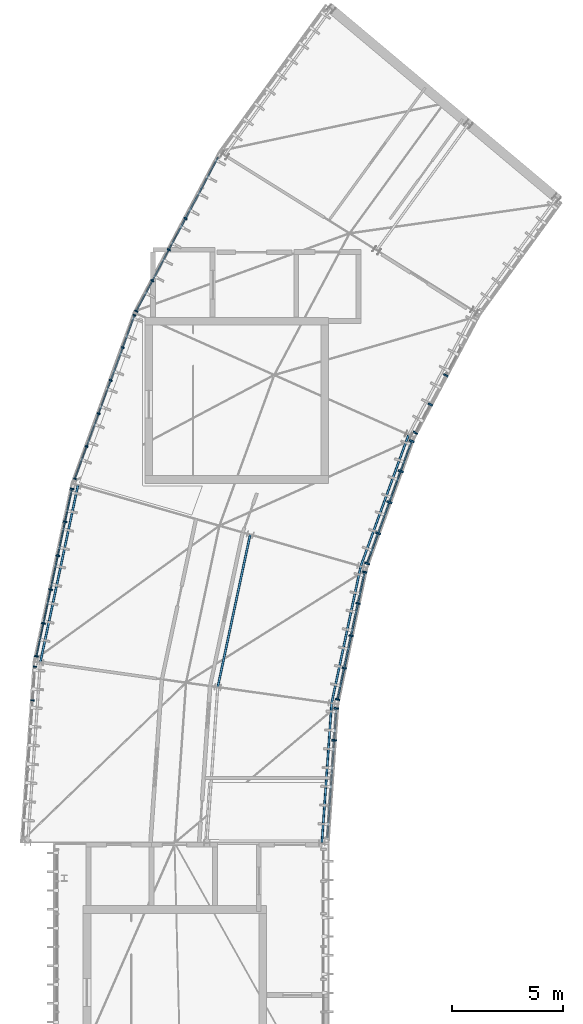
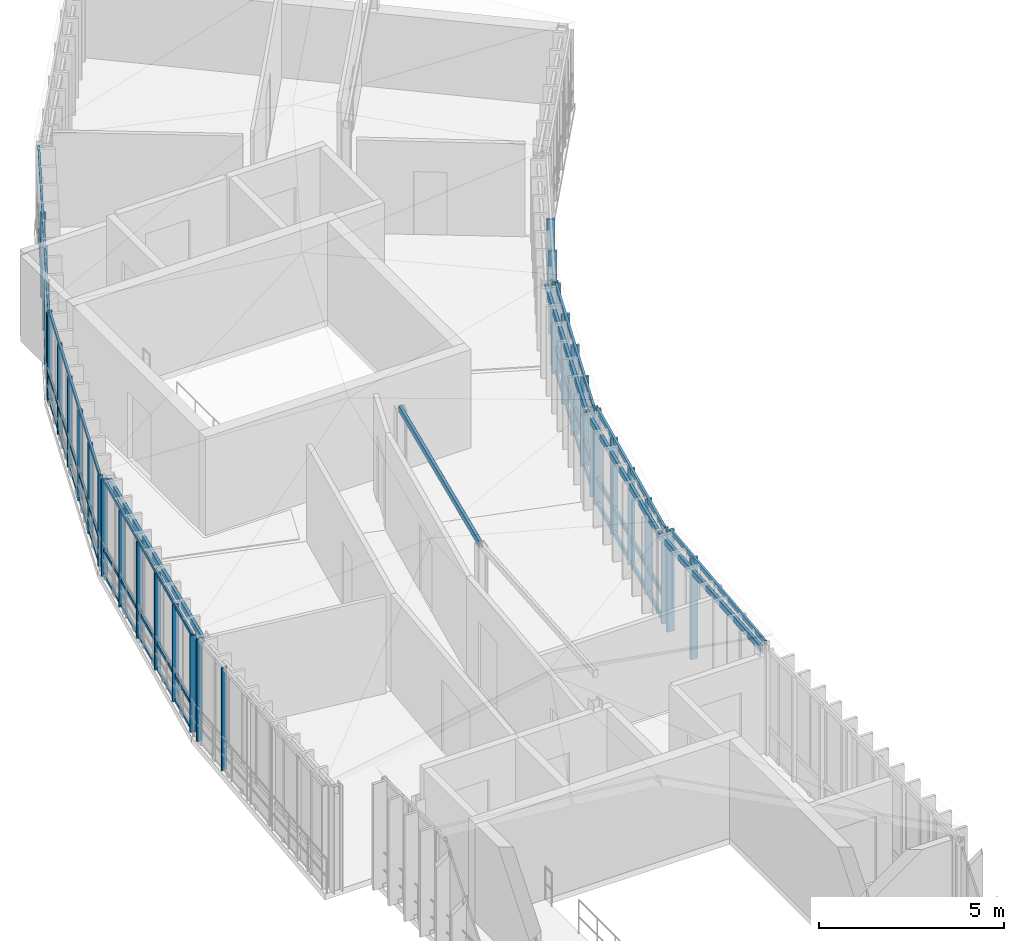
# One storey, part 4 of 18: 54 members, 8 elements without a shape of their own.
"""IFC4 building model written with IfcOpenShell, lengths in metres."""

from ifc_helpers import new_model, si_unit, direction, frame, origin, origin_2d, place, context, subcontext, project, spatial, rectangle, hollow_rectangle, extrude, material, layer, layer_set, material_profile, profile_set, type_object, element, aggregate, save


model = new_model("IFC4")

# Units and contexts
model_context = context("Model", 3, precision=1e-05, world=origin(), true_north=direction((0.0, 1.0)))
body_context = subcontext(model_context, "Body", "Model", "MODEL_VIEW")
ifc_project = project(units=[si_unit("LENGTHUNIT", "METRE"), si_unit("AREAUNIT", "SQUARE_METRE"), si_unit("VOLUMEUNIT", "CUBIC_METRE"), si_unit("PLANEANGLEUNIT", "RADIAN"), si_unit("MASSUNIT", "GRAM", prefix="KILO"), si_unit("THERMODYNAMICTEMPERATUREUNIT", "KELVIN"), si_unit("POWERUNIT", "WATT")], contexts=[model_context])

# Site, building, storey
site_placement = place(None, origin())
site = spatial("IfcSite", under=ifc_project, at=site_placement, CompositionType="ELEMENT")
building_placement = place(site_placement, origin())
building = spatial("IfcBuilding", under=site, at=building_placement, Name="Solvatero Civic Police Headquarters", CompositionType="ELEMENT")
storey_placement = place(building_placement, frame((0.0, 0.0, 29.39990234375)))
storey = spatial("IfcBuildingStorey", under=building, at=storey_placement, Name="L07", CompositionType="ELEMENT", Elevation=29.39990234375)

# Curtain wall, members
ifc_material_1 = material(Name="Anodized Bronze Aluminium", Category="aluminium")
ifc_layer_1 = layer(ifc_material_1, 0.179931640625)
ifc_layer_set_1 = layer_set([ifc_layer_1], Name="Anodized Bronze Aluminium")
curtain_wall_type_1 = type_object("IfcCurtainWallType", Name="CW-ARC-IN", PredefinedType="USERDEFINED", material=ifc_layer_set_1)
curtain_wall_1_placement = place(storey_placement, origin())
curtain_wall_1 = element("IfcCurtainWall", 1, at=curtain_wall_1_placement, inside=storey, type_object=curtain_wall_type_1, Name="Curtain Wall CW-R2-L07-ARC-IN-B10", ObjectType="UNITISED", PredefinedType="USERDEFINED")
ifc_material_profile_1 = material_profile(ifc_material_1, rectangle(XDim=0.080078125, YDim=0.239990234375, at=origin_2d()), Name="ALU MULLION 80x240")
ifc_profile_set_1 = profile_set([ifc_material_profile_1], Name="Anodized Bronze Aluminium")
member_type_1 = type_object("IfcMemberType", Name="CWM-140x60", PredefinedType="MULLION", material=ifc_profile_set_1)
member_1_placement = place(storey_placement, frame((52.7109375, 44.160400390625, 0.0), z_axis=(0.0, 0.0, 1.0), x_axis=(-0.342003742543, -0.93969859002, 0.0)))
member_1 = element("IfcMember", 2, at=member_1_placement, type_object=member_type_1, Name="CW-R2-L07-ARC-IN-B10 Mullion 1", PredefinedType="MULLION", context=body_context, shape_type="SweptSolid", body=[
    extrude(rectangle(XDim=0.080078125, YDim=0.239990234375, at=origin_2d()), origin(), (0.0, 0.0, 1.0), 2.951904296875),
])
member_2_placement = place(storey_placement, frame((52.214599609375, 42.796142578125, 0.0), z_axis=(0.0, 0.0, 1.0), x_axis=(-0.342003742543, -0.93969859002, 0.0)))
member_2 = element("IfcMember", 3, at=member_2_placement, type_object=member_type_1, Name="CW-R2-L07-ARC-IN-B10 Mullion 2", PredefinedType="MULLION", context=body_context, shape_type="SweptSolid", body=[
    extrude(rectangle(XDim=0.080078125, YDim=0.239990234375, at=origin_2d()), origin(), (0.0, 0.0, 1.0), 2.951904296875),
])
member_3_placement = place(storey_placement, frame((51.704345703125, 41.394287109375, 0.0), z_axis=(0.0, 0.0, 1.0), x_axis=(-0.342003742543, -0.93969859002, 0.0)))
member_3 = element("IfcMember", 4, at=member_3_placement, type_object=member_type_1, Name="CW-R2-L07-ARC-IN-B10 Mullion 3", PredefinedType="MULLION", context=body_context, shape_type="SweptSolid", body=[
    extrude(rectangle(XDim=0.080078125, YDim=0.239990234375, at=origin_2d()), origin(), (0.0, 0.0, 1.0), 2.951904296875),
])
member_4_placement = place(storey_placement, frame((51.194091796875, 39.99267578125, 0.0), z_axis=(0.0, 0.0, 1.0), x_axis=(-0.342003742543, -0.93969859002, 0.0)))
member_4 = element("IfcMember", 5, at=member_4_placement, type_object=member_type_1, Name="CW-R2-L07-ARC-IN-B10 Mullion 4", PredefinedType="MULLION", context=body_context, shape_type="SweptSolid", body=[
    extrude(rectangle(XDim=0.080078125, YDim=0.239990234375, at=origin_2d()), origin(), (0.0, 0.0, 1.0), 2.951904296875),
])
member_5_placement = place(storey_placement, frame((50.69775390625, 38.62841796875, 0.0), z_axis=(0.0, 0.0, 1.0), x_axis=(-0.342003742543, -0.93969859002, 0.0)))
member_5 = element("IfcMember", 6, at=member_5_placement, type_object=member_type_1, Name="CW-R2-L07-ARC-IN-B10 Mullion 5", PredefinedType="MULLION", context=body_context, shape_type="SweptSolid", body=[
    extrude(rectangle(XDim=0.080078125, YDim=0.239990234375, at=origin_2d()), origin(), (0.0, 0.0, 1.0), 2.951904296875),
])

ifc_layer_2 = layer(ifc_material_1, 0.179931640625)
ifc_layer_set_2 = layer_set([ifc_layer_2], Name="Anodized Bronze Aluminium")
curtain_wall_type_2 = type_object("IfcCurtainWallType", Name="CW-ARC-OUT", PredefinedType="USERDEFINED", material=ifc_layer_set_2)
curtain_wall_2_placement = place(storey_placement, origin())
curtain_wall_2 = element("IfcCurtainWall", 7, at=curtain_wall_2_placement, inside=storey, type_object=curtain_wall_type_2, Name="Curtain Wall CW-R2-L07-ARC-OUT-B10", ObjectType="UNITISED", PredefinedType="USERDEFINED")
ifc_material_profile_2 = material_profile(ifc_material_1, rectangle(XDim=0.06005859375, YDim=0.139892578125, at=origin_2d()), Name="ALU MULLION 60x140")
ifc_profile_set_2 = profile_set([ifc_material_profile_2], Name="Anodized Bronze Aluminium")
member_type_2 = type_object("IfcMemberType", Name="CWM-160x65", PredefinedType="MULLION", material=ifc_profile_set_2)
member_6_placement = place(storey_placement, frame((40.17626953125, 49.854736328125, 0.0), z_axis=(0.0, 0.0, 1.0), x_axis=(-0.342020143326, -0.939692620786, 0.0)))
member_6 = element("IfcMember", 8, at=member_6_placement, type_object=member_type_2, Name="CW-R2-L07-ARC-OUT-B10 Mullion 1", PredefinedType="MULLION", context=body_context, shape_type="SweptSolid", body=[
    extrude(rectangle(XDim=0.06005859375, YDim=0.139892578125, at=origin_2d()), origin(), (0.0, 0.0, 1.0), 2.993408203125),
])
member_7_placement = place(storey_placement, frame((39.6455078125, 48.396484375, 0.0), z_axis=(0.0, 0.0, 1.0), x_axis=(-0.342020143326, -0.939692620786, 0.0)))
member_7 = element("IfcMember", 9, at=member_7_placement, type_object=member_type_2, Name="CW-R2-L07-ARC-OUT-B10 Mullion 2", PredefinedType="MULLION", context=body_context, shape_type="SweptSolid", body=[
    extrude(rectangle(XDim=0.06005859375, YDim=0.139892578125, at=origin_2d()), origin(), (0.0, 0.0, 1.0), 2.993408203125),
])
member_8_placement = place(storey_placement, frame((39.10107421875, 46.90087890625, 0.0), z_axis=(0.0, 0.0, 1.0), x_axis=(-0.342020143326, -0.939692620786, 0.0)))
member_8 = element("IfcMember", 10, at=member_8_placement, type_object=member_type_2, Name="CW-R2-L07-ARC-OUT-B10 Mullion 3", PredefinedType="MULLION", context=body_context, shape_type="SweptSolid", body=[
    extrude(rectangle(XDim=0.06005859375, YDim=0.139892578125, at=origin_2d()), origin(), (0.0, 0.0, 1.0), 2.993408203125),
])
member_9_placement = place(storey_placement, frame((38.556640625, 45.405029296875, 0.0), z_axis=(0.0, 0.0, 1.0), x_axis=(-0.342020143326, -0.939692620786, 0.0)))
member_9 = element("IfcMember", 11, at=member_9_placement, type_object=member_type_2, Name="CW-R2-L07-ARC-OUT-B10 Mullion 4", PredefinedType="MULLION", context=body_context, shape_type="SweptSolid", body=[
    extrude(rectangle(XDim=0.06005859375, YDim=0.139892578125, at=origin_2d()), origin(), (0.0, 0.0, 1.0), 2.993408203125),
])
member_10_placement = place(storey_placement, frame((38.01220703125, 43.909423828125, 0.0), z_axis=(0.0, 0.0, 1.0), x_axis=(-0.342020143326, -0.939692620786, 0.0)))
member_10 = element("IfcMember", 12, at=member_10_placement, type_object=member_type_2, Name="CW-R2-L07-ARC-OUT-B10 Mullion 5", PredefinedType="MULLION", context=body_context, shape_type="SweptSolid", body=[
    extrude(rectangle(XDim=0.06005859375, YDim=0.139892578125, at=origin_2d()), origin(), (0.0, 0.0, 1.0), 2.993408203125),
])
member_11_placement = place(storey_placement, frame((37.481689453125, 42.451416015625, 0.0), z_axis=(0.0, 0.0, 1.0), x_axis=(-0.342020143326, -0.939692620786, 0.0)))
member_11 = element("IfcMember", 13, at=member_11_placement, type_object=member_type_2, Name="CW-R2-L07-ARC-OUT-B10 Mullion 6", PredefinedType="MULLION", context=body_context, shape_type="SweptSolid", body=[
    extrude(rectangle(XDim=0.06005859375, YDim=0.139892578125, at=origin_2d()), origin(), (0.0, 0.0, 1.0), 2.993408203125),
])

curtain_wall_3_placement = place(storey_placement, origin())
curtain_wall_3 = element("IfcCurtainWall", 14, at=curtain_wall_3_placement, inside=storey, type_object=curtain_wall_type_2, Name="Curtain Wall CW-R2-L07-ARC-OUT-B09", ObjectType="UNITISED", PredefinedType="USERDEFINED")
ifc_material_profile_3 = material_profile(ifc_material_1, rectangle(XDim=0.06005859375, YDim=0.159912109375, at=origin_2d()), Name="ALU MULLION 60x160")
ifc_profile_set_3 = profile_set([ifc_material_profile_3], Name="Anodized Bronze Aluminium")
member_type_3 = type_object("IfcMemberType", Name="CWM-180x70", PredefinedType="MULLION", material=ifc_profile_set_3)
member_12_placement = place(storey_placement, frame((42.48046875, 54.2177734375, 0.0), z_axis=(0.0, 0.0, 1.0), x_axis=(-0.469471562786, -0.882947592859, 0.0)))
member_12 = element("IfcMember", 15, at=member_12_placement, type_object=member_type_3, Name="CW-R2-L07-ARC-OUT-B09 Mullion 3", PredefinedType="MULLION", context=body_context, shape_type="SweptSolid", body=[
    extrude(rectangle(XDim=0.06005859375, YDim=0.159912109375, at=origin_2d()), origin(), (0.0, 0.0, 1.0), 2.79345703125),
])
member_13_placement = place(storey_placement, frame((41.733154296875, 52.8125, 0.0), z_axis=(0.0, 0.0, 1.0), x_axis=(-0.469471562786, -0.882947592859, 0.0)))
member_13 = element("IfcMember", 16, at=member_13_placement, type_object=member_type_3, Name="CW-R2-L07-ARC-OUT-B09 Mullion 4", PredefinedType="MULLION", context=body_context, shape_type="SweptSolid", body=[
    extrude(rectangle(XDim=0.06005859375, YDim=0.159912109375, at=origin_2d()), origin(), (0.0, 0.0, 1.0), 2.79345703125),
])
member_14_placement = place(storey_placement, frame((40.98583984375, 51.406982421875, 0.0), z_axis=(0.0, 0.0, 1.0), x_axis=(-0.469471562786, -0.882947592859, 0.0)))
member_14 = element("IfcMember", 17, at=member_14_placement, type_object=member_type_3, Name="CW-R2-L07-ARC-OUT-B09 Mullion 5", PredefinedType="MULLION", context=body_context, shape_type="SweptSolid", body=[
    extrude(rectangle(XDim=0.06005859375, YDim=0.159912109375, at=origin_2d()), origin(), (0.0, 0.0, 1.0), 2.79345703125),
])
member_15_placement = place(storey_placement, frame((40.25732421875, 50.037109375, 0.0), z_axis=(0.0, 0.0, 1.0), x_axis=(-0.469471562786, -0.882947592859, 0.0)))
member_15 = element("IfcMember", 18, at=member_15_placement, type_object=member_type_3, Name="CW-R2-L07-ARC-OUT-B09 Mullion 6", PredefinedType="MULLION", context=body_context, shape_type="SweptSolid", body=[
    extrude(rectangle(XDim=0.06005859375, YDim=0.159912109375, at=origin_2d()), origin(), (0.0, 0.0, 1.0), 2.79345703125),
])

curtain_wall_4_placement = place(storey_placement, origin())
curtain_wall_4 = element("IfcCurtainWall", 19, at=curtain_wall_4_placement, inside=storey, type_object=curtain_wall_type_2, Name="Curtain Wall CW-R2-L07-ARC-OUT-B12", ObjectType="UNITISED", PredefinedType="USERDEFINED")
member_16_placement = place(storey_placement, frame((35.676513671875, 33.958984375, 0.0), z_axis=(0.0, 0.0, 1.0), x_axis=(-0.069739062956, -0.997565267588, 0.0)))
member_16 = element("IfcMember", 20, at=member_16_placement, type_object=member_type_3, Name="CW-R2-L07-ARC-OUT-B12 Mullion 1", PredefinedType="MULLION", context=body_context, shape_type="SweptSolid", body=[
    extrude(rectangle(XDim=0.06005859375, YDim=0.159912109375, at=origin_2d()), origin(), (0.0, 0.0, 1.0), 3.393310546875),
])
member_17_placement = place(storey_placement, frame((35.5703125, 32.438232421875, 0.0), z_axis=(0.0, 0.0, 1.0), x_axis=(-0.069739062956, -0.997565267588, 0.0)))
member_17 = element("IfcMember", 21, at=member_17_placement, type_object=member_type_3, Name="CW-R2-L07-ARC-OUT-B12 Mullion 2", PredefinedType="MULLION", context=body_context, shape_type="SweptSolid", body=[
    extrude(rectangle(XDim=0.06005859375, YDim=0.159912109375, at=origin_2d()), origin(), (0.0, 0.0, 1.0), 3.393310546875),
])
aggregate(curtain_wall_4, [member_16, member_17])

curtain_wall_5_placement = place(storey_placement, origin())
curtain_wall_5 = element("IfcCurtainWall", 22, at=curtain_wall_5_placement, inside=storey, type_object=curtain_wall_type_2, Name="Curtain Wall CW-R2-L07-ARC-OUT-B11", ObjectType="UNITISED", PredefinedType="USERDEFINED")
ifc_material_profile_4 = material_profile(ifc_material_1, rectangle(XDim=0.06494140625, YDim=0.179931640625, at=origin_2d()), Name="ALU MULLION 65x180")
ifc_profile_set_4 = profile_set([ifc_material_profile_4], Name="Anodized Bronze Aluminium")
member_type_4 = type_object("IfcMemberType", Name="CWM-200x75", PredefinedType="MULLION", material=ifc_profile_set_4)
member_18_placement = place(storey_placement, frame((37.351806640625, 41.998779296875, 0.0), z_axis=(0.0, 0.0, 1.0), x_axis=(-0.20789461889, -0.978151229328, 0.0)))
member_18 = element("IfcMember", 23, at=member_18_placement, type_object=member_type_4, Name="CW-R2-L07-ARC-OUT-B11 Mullion 1", PredefinedType="MULLION", context=body_context, shape_type="SweptSolid", body=[
    extrude(rectangle(XDim=0.06494140625, YDim=0.179931640625, at=origin_2d()), origin(), (0.0, 0.0, 1.0), 3.193359375),
])
member_19_placement = place(storey_placement, frame((37.034912109375, 40.507568359375, 0.0), z_axis=(0.0, 0.0, 1.0), x_axis=(-0.20789461889, -0.978151229328, 0.0)))
member_19 = element("IfcMember", 24, at=member_19_placement, type_object=member_type_4, Name="CW-R2-L07-ARC-OUT-B11 Mullion 2", PredefinedType="MULLION", context=body_context, shape_type="SweptSolid", body=[
    extrude(rectangle(XDim=0.06494140625, YDim=0.179931640625, at=origin_2d()), origin(), (0.0, 0.0, 1.0), 3.193359375),
])
member_20_placement = place(storey_placement, frame((36.70947265625, 38.977294921875, 0.0), z_axis=(0.0, 0.0, 1.0), x_axis=(-0.20789461889, -0.978151229328, 0.0)))
member_20 = element("IfcMember", 25, at=member_20_placement, type_object=member_type_4, Name="CW-R2-L07-ARC-OUT-B11 Mullion 3", PredefinedType="MULLION", context=body_context, shape_type="SweptSolid", body=[
    extrude(rectangle(XDim=0.06494140625, YDim=0.179931640625, at=origin_2d()), origin(), (0.0, 0.0, 1.0), 3.193359375),
])
member_21_placement = place(storey_placement, frame((36.38427734375, 37.447021484375, 0.0), z_axis=(0.0, 0.0, 1.0), x_axis=(-0.20789461889, -0.978151229328, 0.0)))
member_21 = element("IfcMember", 26, at=member_21_placement, type_object=member_type_4, Name="CW-R2-L07-ARC-OUT-B11 Mullion 4", PredefinedType="MULLION", context=body_context, shape_type="SweptSolid", body=[
    extrude(rectangle(XDim=0.06494140625, YDim=0.179931640625, at=origin_2d()), origin(), (0.0, 0.0, 1.0), 3.193359375),
])
member_22_placement = place(storey_placement, frame((36.05908203125, 35.91650390625, 0.0), z_axis=(0.0, 0.0, 1.0), x_axis=(-0.20789461889, -0.978151229328, 0.0)))
member_22 = element("IfcMember", 27, at=member_22_placement, type_object=member_type_4, Name="CW-R2-L07-ARC-OUT-B11 Mullion 5", PredefinedType="MULLION", context=body_context, shape_type="SweptSolid", body=[
    extrude(rectangle(XDim=0.06494140625, YDim=0.179931640625, at=origin_2d()), origin(), (0.0, 0.0, 1.0), 3.193359375),
])
member_23_placement = place(storey_placement, frame((35.741943359375, 34.42529296875, 0.0), z_axis=(0.0, 0.0, 1.0), x_axis=(-0.20789461889, -0.978151229328, 0.0)))
member_23 = element("IfcMember", 28, at=member_23_placement, type_object=member_type_4, Name="CW-R2-L07-ARC-OUT-B11 Mullion 6", PredefinedType="MULLION", context=body_context, shape_type="SweptSolid", body=[
    extrude(rectangle(XDim=0.06494140625, YDim=0.179931640625, at=origin_2d()), origin(), (0.0, 0.0, 1.0), 3.193359375),
])

curtain_wall_6_placement = place(storey_placement, origin())
curtain_wall_6 = element("IfcCurtainWall", 29, at=curtain_wall_6_placement, inside=storey, type_object=curtain_wall_type_1, Name="Curtain Wall CW-R2-L07-ARC-IN-B11", ObjectType="UNITISED", PredefinedType="USERDEFINED")
ifc_material_profile_5 = material_profile(ifc_material_1, rectangle(XDim=0.070068359375, YDim=0.199951171875, at=origin_2d()), Name="ALU MULLION 70x200")
ifc_profile_set_5 = profile_set([ifc_material_profile_5], Name="Anodized Bronze Aluminium")
member_type_5 = type_object("IfcMemberType", Name="CWM-220x80", PredefinedType="MULLION", material=ifc_profile_set_5)
member_24_placement = place(storey_placement, frame((50.58544921875, 38.2373046875, 0.0), z_axis=(0.0, 0.0, 1.0), x_axis=(-0.207911690818, -0.978147600734, 0.0)))
member_24 = element("IfcMember", 30, at=member_24_placement, type_object=member_type_5, Name="CW-R2-L07-ARC-IN-B11 Mullion 1", PredefinedType="MULLION", context=body_context, shape_type="SweptSolid", body=[
    extrude(rectangle(XDim=0.070068359375, YDim=0.199951171875, at=origin_2d()), origin(), (0.0, 0.0, 1.0), 3.15185546875),
])
member_25_placement = place(storey_placement, frame((50.28369140625, 36.8173828125, 0.0), z_axis=(0.0, 0.0, 1.0), x_axis=(-0.207911690818, -0.978147600734, 0.0)))
member_25 = element("IfcMember", 31, at=member_25_placement, type_object=member_type_5, Name="CW-R2-L07-ARC-IN-B11 Mullion 2", PredefinedType="MULLION", context=body_context, shape_type="SweptSolid", body=[
    extrude(rectangle(XDim=0.070068359375, YDim=0.199951171875, at=origin_2d()), origin(), (0.0, 0.0, 1.0), 3.15185546875),
])
member_26_placement = place(storey_placement, frame((49.973388671875, 35.358154296875, 0.0), z_axis=(0.0, 0.0, 1.0), x_axis=(-0.207911690818, -0.978147600734, 0.0)))
member_26 = element("IfcMember", 32, at=member_26_placement, type_object=member_type_5, Name="CW-R2-L07-ARC-IN-B11 Mullion 3", PredefinedType="MULLION", context=body_context, shape_type="SweptSolid", body=[
    extrude(rectangle(XDim=0.070068359375, YDim=0.199951171875, at=origin_2d()), origin(), (0.0, 0.0, 1.0), 3.15185546875),
])
member_27_placement = place(storey_placement, frame((49.663330078125, 33.89892578125, 0.0), z_axis=(0.0, 0.0, 1.0), x_axis=(-0.207911690818, -0.978147600734, 0.0)))
member_27 = element("IfcMember", 33, at=member_27_placement, type_object=member_type_5, Name="CW-R2-L07-ARC-IN-B11 Mullion 4", PredefinedType="MULLION", context=body_context, shape_type="SweptSolid", body=[
    extrude(rectangle(XDim=0.070068359375, YDim=0.199951171875, at=origin_2d()), origin(), (0.0, 0.0, 1.0), 3.15185546875),
])
member_28_placement = place(storey_placement, frame((49.361572265625, 32.47900390625, 0.0), z_axis=(0.0, 0.0, 1.0), x_axis=(-0.207911690818, -0.978147600734, 0.0)))
member_28 = element("IfcMember", 34, at=member_28_placement, type_object=member_type_5, Name="CW-R2-L07-ARC-IN-B11 Mullion 5", PredefinedType="MULLION", context=body_context, shape_type="SweptSolid", body=[
    extrude(rectangle(XDim=0.070068359375, YDim=0.199951171875, at=origin_2d()), origin(), (0.0, 0.0, 1.0), 3.15185546875),
])

curtain_wall_7_placement = place(storey_placement, origin())
curtain_wall_7 = element("IfcCurtainWall", 35, at=curtain_wall_7_placement, inside=storey, type_object=curtain_wall_type_1, Name="Curtain Wall CW-R2-L07-ARC-IN-B09", ObjectType="UNITISED", PredefinedType="USERDEFINED")
ifc_material_profile_6 = material_profile(ifc_material_1, rectangle(XDim=0.074951171875, YDim=0.219970703125, at=origin_2d()), Name="ALU MULLION 75x220")
ifc_profile_set_6 = profile_set([ifc_material_profile_6], Name="Anodized Bronze Aluminium")
member_type_6 = type_object("IfcMemberType", Name="CWM-250x85", PredefinedType="MULLION", material=ifc_profile_set_6)
member_29_placement = place(storey_placement, frame((54.25830078125, 47.130859375, 0.0), z_axis=(0.0, 0.0, 1.0), x_axis=(-0.469486973057, -0.8829393989, 0.0)))
member_29 = element("IfcMember", 36, at=member_29_placement, type_object=member_type_6, Name="CW-R2-L07-ARC-IN-B09 Mullion 3", PredefinedType="MULLION", context=body_context, shape_type="SweptSolid", body=[
    extrude(rectangle(XDim=0.074951171875, YDim=0.219970703125, at=origin_2d()), origin(), (0.0, 0.0, 1.0), 2.751708984375),
])
member_30_placement = place(storey_placement, frame((53.55810546875, 45.813720703125, 0.0), z_axis=(0.0, 0.0, 1.0), x_axis=(-0.469486973057, -0.8829393989, 0.0)))
member_30 = element("IfcMember", 37, at=member_30_placement, type_object=member_type_6, Name="CW-R2-L07-ARC-IN-B09 Mullion 4", PredefinedType="MULLION", context=body_context, shape_type="SweptSolid", body=[
    extrude(rectangle(XDim=0.074951171875, YDim=0.219970703125, at=origin_2d()), origin(), (0.0, 0.0, 1.0), 2.751708984375),
])
member_31_placement = place(storey_placement, frame((52.87646484375, 44.531982421875, 0.0), z_axis=(0.0, 0.0, 1.0), x_axis=(-0.469486973057, -0.8829393989, 0.0)))
member_31 = element("IfcMember", 38, at=member_31_placement, type_object=member_type_6, Name="CW-R2-L07-ARC-IN-B09 Mullion 5", PredefinedType="MULLION", context=body_context, shape_type="SweptSolid", body=[
    extrude(rectangle(XDim=0.074951171875, YDim=0.219970703125, at=origin_2d()), origin(), (0.0, 0.0, 1.0), 2.751708984375),
])
aggregate(curtain_wall_7, [member_29, member_30, member_31])

curtain_wall_8_placement = place(storey_placement, origin())
curtain_wall_8 = element("IfcCurtainWall", 39, at=curtain_wall_8_placement, inside=storey, type_object=curtain_wall_type_1, Name="Curtain Wall CW-R2-L07-ARC-IN-B12", ObjectType="UNITISED", PredefinedType="USERDEFINED")
member_32_placement = place(storey_placement, frame((49.304931640625, 32.075927734375, 0.0), z_axis=(0.0, 0.0, 1.0), x_axis=(-0.069773884511, -0.997562832628, 0.0)))
member_32 = element("IfcMember", 40, at=member_32_placement, type_object=member_type_6, Name="CW-R2-L07-ARC-IN-B12 Mullion 1", PredefinedType="MULLION", context=body_context, shape_type="SweptSolid", body=[
    extrude(rectangle(XDim=0.074951171875, YDim=0.219970703125, at=origin_2d()), origin(), (0.0, 0.0, 1.0), 3.351806640625),
])
member_33_placement = place(storey_placement, frame((49.20361328125, 30.627685546875, 0.0), z_axis=(0.0, 0.0, 1.0), x_axis=(-0.069773884511, -0.997562832628, 0.0)))
member_33 = element("IfcMember", 41, at=member_33_placement, type_object=member_type_6, Name="CW-R2-L07-ARC-IN-B12 Mullion 2", PredefinedType="MULLION", context=body_context, shape_type="SweptSolid", body=[
    extrude(rectangle(XDim=0.074951171875, YDim=0.219970703125, at=origin_2d()), origin(), (0.0, 0.0, 1.0), 3.351806640625),
])

# Member
ifc_material_profile_7 = material_profile(ifc_material_1, rectangle(XDim=0.070068359375, YDim=0.159912109375, at=origin_2d()), Name="ALU TRANSOM 70x160")
ifc_profile_set_7 = profile_set([ifc_material_profile_7], Name="Anodized Bronze Aluminium")
member_type_7 = type_object("IfcMemberType", Name="CWT-120x55", PredefinedType="USERDEFINED", material=ifc_profile_set_7)
member_34_placement = place(storey_placement, frame((50.58349609375, 38.2275390625, 0.0400390625), z_axis=(-0.207937388921, -0.97814213808, 0.0), x_axis=(0.97814213808, -0.207937388921, 0.0)))
member_34 = element("IfcMember", 42, at=member_34_placement, type_object=member_type_7, Name="CW-R2-L07-ARC-IN-B11 Transom 1", ObjectType="TRANSOM", PredefinedType="USERDEFINED", context=body_context, shape_type="SweptSolid", body=[
    extrude(rectangle(XDim=0.070068359375, YDim=0.159912109375, at=origin_2d()), origin(), (0.0, 0.0, 1.0), 5.866943359375),
])

member_35_placement = place(storey_placement, frame((50.58349609375, 38.2275390625, 0.85009765625), z_axis=(-0.207937388921, -0.97814213808, 0.0), x_axis=(0.97814213808, -0.207937388921, 0.0)))
member_35 = element("IfcMember", 43, at=member_35_placement, type_object=member_type_7, Name="CW-R2-L07-ARC-IN-B11 Transom 2", ObjectType="TRANSOM", PredefinedType="USERDEFINED", context=body_context, shape_type="SweptSolid", body=[
    extrude(rectangle(XDim=0.070068359375, YDim=0.159912109375, at=origin_2d()), origin(), (0.0, 0.0, 1.0), 5.866943359375),
])

member_36_placement = place(storey_placement, frame((50.58349609375, 38.2275390625, 3.11181640625), z_axis=(-0.207937388921, -0.97814213808, 0.0), x_axis=(0.97814213808, -0.207937388921, 0.0)))
member_36 = element("IfcMember", 44, at=member_36_placement, type_object=member_type_7, Name="CW-R2-L07-ARC-IN-B11 Transom 3", ObjectType="TRANSOM", PredefinedType="USERDEFINED", context=body_context, shape_type="SweptSolid", body=[
    extrude(rectangle(XDim=0.070068359375, YDim=0.159912109375, at=origin_2d()), origin(), (0.0, 0.0, 1.0), 5.866943359375),
])

aggregate(curtain_wall_6, [member_24, member_25, member_26, member_27, member_28, member_34, member_35, member_36])

ifc_material_profile_8 = material_profile(ifc_material_1, rectangle(XDim=0.06005859375, YDim=0.110107421875, at=origin_2d()), Name="ALU TRANSOM 60x110")
ifc_profile_set_8 = profile_set([ifc_material_profile_8], Name="Anodized Bronze Aluminium")
member_type_8 = type_object("IfcMemberType", Name="CWT-140x60", PredefinedType="USERDEFINED", material=ifc_profile_set_8)
member_37_placement = place(storey_placement, frame((43.951416015625, 56.984619140625, 0.0400390625), z_axis=(-0.469454275662, -0.882956784369, 0.0), x_axis=(0.882956784369, -0.469454275662, 0.0)))
member_37 = element("IfcMember", 45, at=member_37_placement, type_object=member_type_8, Name="CW-R2-L07-ARC-OUT-B09 Transom 1", ObjectType="TRANSOM", PredefinedType="USERDEFINED", context=body_context, shape_type="SweptSolid", body=[
    extrude(rectangle(XDim=0.06005859375, YDim=0.110107421875, at=origin_2d()), origin(), (0.0, 0.0, 1.0), 7.8583984375),
])

member_38_placement = place(storey_placement, frame((43.951416015625, 56.984619140625, 0.85009765625), z_axis=(-0.469454275662, -0.882956784369, 0.0), x_axis=(0.882956784369, -0.469454275662, 0.0)))
member_38 = element("IfcMember", 46, at=member_38_placement, type_object=member_type_8, Name="CW-R2-L07-ARC-OUT-B09 Transom 2", ObjectType="TRANSOM", PredefinedType="USERDEFINED", context=body_context, shape_type="SweptSolid", body=[
    extrude(rectangle(XDim=0.06005859375, YDim=0.110107421875, at=origin_2d()), origin(), (0.0, 0.0, 1.0), 7.8583984375),
])

member_39_placement = place(storey_placement, frame((43.951416015625, 56.984619140625, 2.75341796875), z_axis=(-0.469454275662, -0.882956784369, 0.0), x_axis=(0.882956784369, -0.469454275662, 0.0)))
member_39 = element("IfcMember", 47, at=member_39_placement, type_object=member_type_8, Name="CW-R2-L07-ARC-OUT-B09 Transom 3", ObjectType="TRANSOM", PredefinedType="USERDEFINED", context=body_context, shape_type="SweptSolid", body=[
    extrude(rectangle(XDim=0.06005859375, YDim=0.110107421875, at=origin_2d()), origin(), (0.0, 0.0, 1.0), 7.8583984375),
])

aggregate(curtain_wall_3, [member_12, member_13, member_14, member_15, member_37, member_38, member_39])

member_40_placement = place(storey_placement, frame((37.349609375, 41.989013671875, 0.0400390625), z_axis=(-0.207896566329, -0.978150815421, 0.0), x_axis=(0.978150815421, -0.207896566329, 0.0)))
member_40 = element("IfcMember", 48, at=member_40_placement, type_object=member_type_8, Name="CW-R2-L07-ARC-OUT-B11 Transom 1", ObjectType="TRANSOM", PredefinedType="USERDEFINED", context=body_context, shape_type="SweptSolid", body=[
    extrude(rectangle(XDim=0.06005859375, YDim=0.110107421875, at=origin_2d()), origin(), (0.0, 0.0, 1.0), 7.722412109375),
])

member_41_placement = place(storey_placement, frame((37.349609375, 41.989013671875, 0.85009765625), z_axis=(-0.207896566329, -0.978150815421, 0.0), x_axis=(0.978150815421, -0.207896566329, 0.0)))
member_41 = element("IfcMember", 49, at=member_41_placement, type_object=member_type_8, Name="CW-R2-L07-ARC-OUT-B11 Transom 2", ObjectType="TRANSOM", PredefinedType="USERDEFINED", context=body_context, shape_type="SweptSolid", body=[
    extrude(rectangle(XDim=0.06005859375, YDim=0.110107421875, at=origin_2d()), origin(), (0.0, 0.0, 1.0), 7.722412109375),
])

member_42_placement = place(storey_placement, frame((37.349609375, 41.989013671875, 3.1533203125), z_axis=(-0.207896566329, -0.978150815421, 0.0), x_axis=(0.978150815421, -0.207896566329, 0.0)))
member_42 = element("IfcMember", 50, at=member_42_placement, type_object=member_type_8, Name="CW-R2-L07-ARC-OUT-B11 Transom 3", ObjectType="TRANSOM", PredefinedType="USERDEFINED", context=body_context, shape_type="SweptSolid", body=[
    extrude(rectangle(XDim=0.06005859375, YDim=0.110107421875, at=origin_2d()), origin(), (0.0, 0.0, 1.0), 7.722412109375),
])

aggregate(curtain_wall_5, [member_18, member_19, member_20, member_21, member_22, member_23, member_40, member_41, member_42])

ifc_material_profile_9 = material_profile(ifc_material_1, rectangle(XDim=0.06005859375, YDim=0.125, at=origin_2d()), Name="ALU TRANSOM 60x125")
ifc_profile_set_9 = profile_set([ifc_material_profile_9], Name="Anodized Bronze Aluminium")
member_type_9 = type_object("IfcMemberType", Name="CWT-160x65", PredefinedType="USERDEFINED", material=ifc_profile_set_9)
member_43_placement = place(storey_placement, frame((40.1728515625, 49.84521484375, 0.0400390625), z_axis=(-0.342019932753, -0.939692697428, 0.0), x_axis=(0.939692697428, -0.342019932753, 0.0)))
member_43 = element("IfcMember", 51, at=member_43_placement, type_object=member_type_9, Name="CW-R2-L07-ARC-OUT-B10 Transom 1", ObjectType="TRANSOM", PredefinedType="USERDEFINED", context=body_context, shape_type="SweptSolid", body=[
    extrude(rectangle(XDim=0.06005859375, YDim=0.125, at=origin_2d()), origin(), (0.0, 0.0, 1.0), 7.8583984375),
])

member_44_placement = place(storey_placement, frame((40.1728515625, 49.84521484375, 0.85009765625), z_axis=(-0.342019932753, -0.939692697428, 0.0), x_axis=(0.939692697428, -0.342019932753, 0.0)))
member_44 = element("IfcMember", 52, at=member_44_placement, type_object=member_type_9, Name="CW-R2-L07-ARC-OUT-B10 Transom 2", ObjectType="TRANSOM", PredefinedType="USERDEFINED", context=body_context, shape_type="SweptSolid", body=[
    extrude(rectangle(XDim=0.06005859375, YDim=0.125, at=origin_2d()), origin(), (0.0, 0.0, 1.0), 7.8583984375),
])

member_45_placement = place(storey_placement, frame((40.1728515625, 49.84521484375, 2.953369140625), z_axis=(-0.342019932753, -0.939692697428, 0.0), x_axis=(0.939692697428, -0.342019932753, 0.0)))
member_45 = element("IfcMember", 53, at=member_45_placement, type_object=member_type_9, Name="CW-R2-L07-ARC-OUT-B10 Transom 3", ObjectType="TRANSOM", PredefinedType="USERDEFINED", context=body_context, shape_type="SweptSolid", body=[
    extrude(rectangle(XDim=0.06005859375, YDim=0.125, at=origin_2d()), origin(), (0.0, 0.0, 1.0), 7.8583984375),
])

aggregate(curtain_wall_2, [member_6, member_7, member_8, member_9, member_10, member_11, member_43, member_44, member_45])

ifc_material_profile_10 = material_profile(ifc_material_1, rectangle(XDim=0.06494140625, YDim=0.139892578125, at=origin_2d()), Name="ALU TRANSOM 65x140")
ifc_profile_set_10 = profile_set([ifc_material_profile_10], Name="Anodized Bronze Aluminium")
member_type_10 = type_object("IfcMemberType", Name="CWT-180x70", PredefinedType="USERDEFINED", material=ifc_profile_set_10)
member_46_placement = place(storey_placement, frame((52.70751953125, 44.15087890625, 0.0400390625), z_axis=(-0.341990309913, -0.939703478724, 0.0), x_axis=(0.939703478724, -0.341990309913, 0.0)))
member_46 = element("IfcMember", 54, at=member_46_placement, type_object=member_type_10, Name="CW-R2-L07-ARC-IN-B10 Transom 1", ObjectType="TRANSOM", PredefinedType="USERDEFINED", context=body_context, shape_type="SweptSolid", body=[
    extrude(rectangle(XDim=0.06494140625, YDim=0.139892578125, at=origin_2d()), origin(), (0.0, 0.0, 1.0), 5.86669921875),
])

member_47_placement = place(storey_placement, frame((52.70751953125, 44.15087890625, 0.85009765625), z_axis=(-0.341990309913, -0.939703478724, 0.0), x_axis=(0.939703478724, -0.341990309913, 0.0)))
member_47 = element("IfcMember", 55, at=member_47_placement, type_object=member_type_10, Name="CW-R2-L07-ARC-IN-B10 Transom 2", ObjectType="TRANSOM", PredefinedType="USERDEFINED", context=body_context, shape_type="SweptSolid", body=[
    extrude(rectangle(XDim=0.06494140625, YDim=0.139892578125, at=origin_2d()), origin(), (0.0, 0.0, 1.0), 5.86669921875),
])

member_48_placement = place(storey_placement, frame((52.70751953125, 44.15087890625, 2.911865234375), z_axis=(-0.341990309913, -0.939703478724, 0.0), x_axis=(0.939703478724, -0.341990309913, 0.0)))
member_48 = element("IfcMember", 56, at=member_48_placement, type_object=member_type_10, Name="CW-R2-L07-ARC-IN-B10 Transom 3", ObjectType="TRANSOM", PredefinedType="USERDEFINED", context=body_context, shape_type="SweptSolid", body=[
    extrude(rectangle(XDim=0.06494140625, YDim=0.139892578125, at=origin_2d()), origin(), (0.0, 0.0, 1.0), 5.86669921875),
])

aggregate(curtain_wall_1, [member_1, member_2, member_3, member_4, member_5, member_46, member_47, member_48])

member_49_placement = place(storey_placement, frame((49.30419921875, 32.06591796875, 3.311767578125), z_axis=(-0.069744649337, -0.997564877032, 0.0), x_axis=(0.997564877032, -0.069744649337, 0.0)))
member_49 = element("IfcMember", 57, at=member_49_placement, type_object=member_type_10, Name="CW-R2-L07-ARC-IN-B12 Transom 3", ObjectType="TRANSOM", PredefinedType="USERDEFINED", context=body_context, shape_type="SweptSolid", body=[
    extrude(rectangle(XDim=0.06494140625, YDim=0.139892578125, at=origin_2d()), origin(), (0.0, 0.0, 1.0), 5.866943359375),
])

aggregate(curtain_wall_8, [member_32, member_33, member_49])

# Members
ifc_material_2 = material(Name="Steel S355", Category="steel")
ifc_material_profile_11 = material_profile(ifc_material_2, hollow_rectangle(XDim=0.10009765625, YDim=0.199951171875, WallThickness=0.008056640625, InnerFilletRadius=0.008056640625, OuterFilletRadius=0.01611328125, at=origin_2d()), Name="RHS 200x100x8.0")
ifc_profile_set_11 = profile_set([ifc_material_profile_11], Name="Steel S355")
member_type_11 = type_object("IfcMemberType", Name="MB-BR-RHS200", PredefinedType="BRACE", material=ifc_profile_set_11)
for number, where, z_axis, x_axis, name in (
    (58, (52.57080078125, 44.445556640625, 2.72021484375), (-0.341869799122, -0.939216307335, 0.031587473543), (0.939685218478, -0.342040480313, 0.0), "Arc Roof Purlin B10 EIN"),
    (59, (50.40673828125, 38.500244140625, 2.920166015625), (-0.207804390032, -0.97766026038, 0.031587192917), (0.978148356291, -0.207908136167, 0.0), "Arc Roof Purlin B11 EIN"),
):
    element("IfcMember", number, at=place(storey_placement, frame(where, z_axis=z_axis, x_axis=x_axis)), inside=storey, type_object=member_type_11, Name=name, PredefinedType="BRACE", context=body_context, shape_type="SweptSolid", body=[
        extrude(hollow_rectangle(XDim=0.10009765625, YDim=0.199951171875, WallThickness=0.008056640625, InnerFilletRadius=0.008056640625, OuterFilletRadius=0.01611328125, at=origin_2d()), origin(), (0.0, 0.0, 1.0), 6.330078125),
    ])
member_50_placement = place(storey_placement, frame((45.408203125, 39.93359375, 3.93505859375), z_axis=(-0.20782823944, -0.977754700902, 0.028340214469), x_axis=(0.978147588108, -0.207911750219, 0.0)))
element("IfcMember", 60, at=member_50_placement, inside=storey, type_object=member_type_11, Name="Arc Roof Purlin B11 RDG", PredefinedType="BRACE", context=body_context, shape_type="SweptSolid", body=[
    extrude(hollow_rectangle(XDim=0.10009765625, YDim=0.199951171875, WallThickness=0.008056640625, InnerFilletRadius=0.008056640625, OuterFilletRadius=0.01611328125, at=origin_2d()), origin(), (0.0, 0.0, 1.0), 7.055419921875),
])
member_51_placement = place(storey_placement, frame((37.6220703125, 42.166015625, 2.920166015625), z_axis=(-0.207848804681, -0.977855843147, 0.024429990102), x_axis=(0.97814777795, -0.207910857079, 0.0)))
element("IfcMember", 61, at=member_51_placement, inside=storey, type_object=member_type_11, Name="Arc Roof Purlin B11 EOUT", PredefinedType="BRACE", context=body_context, shape_type="SweptSolid", body=[
    extrude(hollow_rectangle(XDim=0.10009765625, YDim=0.199951171875, WallThickness=0.008056640625, InnerFilletRadius=0.008056640625, OuterFilletRadius=0.01611328125, at=origin_2d()), origin(), (0.0, 0.0, 1.0), 8.1845703125),
])
member_52_placement = place(storey_placement, frame((49.09130859375, 32.3115234375, 3.1201171875), z_axis=(-0.069731338986, -0.997065583781, 0.031587370924), x_axis=(0.997563373395, -0.069766152681, 0.0)))
element("IfcMember", 62, at=member_52_placement, inside=storey, type_object=member_type_11, Name="Arc Roof Purlin B12 EIN", PredefinedType="BRACE", context=body_context, shape_type="SweptSolid", body=[
    extrude(hollow_rectangle(XDim=0.10009765625, YDim=0.199951171875, WallThickness=0.008056640625, InnerFilletRadius=0.008056640625, OuterFilletRadius=0.01611328125, at=origin_2d()), origin(), (0.0, 0.0, 1.0), 6.330078125),
])

save(model, "model.ifc")
